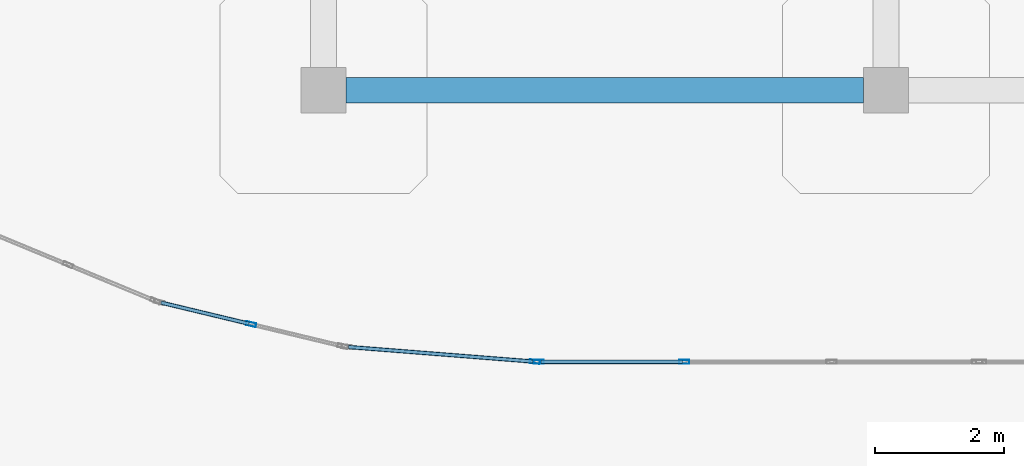
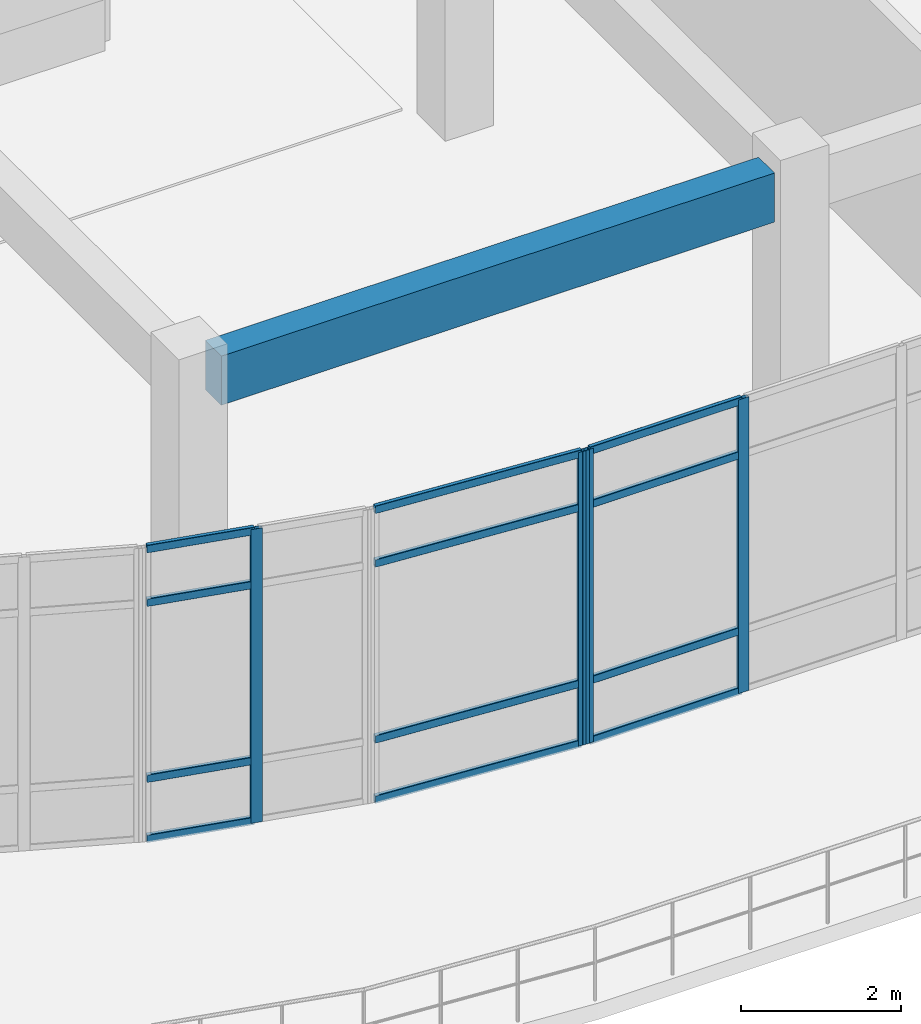
# One storey, part 3 of 76: 16 members, 1 beam, 3 elements without a shape of their own.
"""IFC4 building model written with IfcOpenShell, lengths in metres."""

from ifc_helpers import new_model, si_unit, derived_unit, direction, frame, origin, origin_2d, place, context, subcontext, project, spatial, rectangle, hollow_rectangle, extrude, material, layer, layer_set, material_profile, profile_set, type_object, element, aggregate, save


model = new_model("IFC4")

# Units and contexts
model_context = context("Model", 3, precision=1e-05, world=origin(), true_north=direction((0.0, 1.0)))
body_context = subcontext(model_context, "Body", "Model", "MODEL_VIEW")
ifc_project = project(units=[si_unit("LENGTHUNIT", "METRE"), si_unit("AREAUNIT", "SQUARE_METRE"), si_unit("VOLUMEUNIT", "CUBIC_METRE"), si_unit("PLANEANGLEUNIT", "RADIAN"), si_unit("MASSUNIT", "GRAM", prefix="KILO"), derived_unit("THERMALTRANSMITTANCEUNIT", [(si_unit("MASSUNIT", "GRAM", prefix="KILO"), 1), (si_unit("TIMEUNIT", "SECOND"), -3), (si_unit("THERMODYNAMICTEMPERATUREUNIT", "KELVIN"), -1)])], contexts=[model_context])

# Site, building, storey
site_placement = place(None, origin())
site = spatial("IfcSite", under=ifc_project, at=site_placement, CompositionType="ELEMENT")
building_placement = place(site_placement, origin())
building = spatial("IfcBuilding", under=site, at=building_placement, Name="Qinzheling Arcade Emporium", CompositionType="ELEMENT")
storey_placement = place(building_placement, frame((0.0, 0.0, 26.699951171875)))
storey = spatial("IfcBuildingStorey", under=building, at=storey_placement, Name="L06", CompositionType="ELEMENT", Elevation=26.699951171875)

# Curtain wall, members
ifc_material_1 = material(Name="Anodised aluminium and solar-control double glazing", Category="aluminium")
ifc_layer_1 = layer(ifc_material_1, 0.159912109375, Name="Anodised aluminium and solar-control double glazing", Category="aluminium")
ifc_layer_set_1 = layer_set([ifc_layer_1], Name="Anodised aluminium and solar-control double glazing")
curtain_wall_type_1 = type_object("IfcCurtainWallType", Name="Arcade Portal Glazed Curtain Wall", PredefinedType="NOTDEFINED", material=ifc_layer_set_1)
curtain_wall_1_placement = place(storey_placement, origin())
curtain_wall_1 = element("IfcCurtainWall", 1, at=curtain_wall_1_placement, inside=storey, type_object=curtain_wall_type_1, Name="Curtain Wall CW-L06-349", PredefinedType="NOTDEFINED")
ifc_material_2 = material(Name="Anodised aluminium 6063-T6", Category="aluminium")
ifc_material_profile_1 = material_profile(ifc_material_2, hollow_rectangle(XDim=0.06005859375, YDim=0.159912109375, WallThickness=0.00390625, InnerFilletRadius=0.00390625, OuterFilletRadius=0.008056640625, at=origin_2d()), Name="RHS 160x60x4", Category="aluminium")
ifc_profile_set_1 = profile_set([ifc_material_profile_1], Name="Anodised aluminium 6063-T6")
member_type_1 = type_object("IfcMemberType", Name="Curtain Wall Mullion RHS160x60", PredefinedType="MULLION", material=ifc_profile_set_1)
member_1_placement = place(storey_placement, frame((31.679443359375, 12.60009765625, 0.0), z_axis=(0.0, 0.0, 1.0), x_axis=(0.0, -1.0, 0.0)))
member_1 = element("IfcMember", 2, at=member_1_placement, type_object=member_type_1, Name="CW05 mullion 3", PredefinedType="MULLION", context=body_context, shape_type="SweptSolid", body=[
    extrude(hollow_rectangle(XDim=0.06005859375, YDim=0.159912109375, WallThickness=0.00390625, InnerFilletRadius=0.00390625, OuterFilletRadius=0.008056640625, at=origin_2d()), origin(), (0.0, 0.0, 1.0), 4.489990234375),
])
member_2_placement = place(storey_placement, frame((29.429931640625, 12.60009765625, 0.0), z_axis=(0.0, 0.0, 1.0), x_axis=(0.0, -1.0, 0.0)))
member_2 = element("IfcMember", 3, at=member_2_placement, type_object=member_type_1, Name="CW05 mullion 4", PredefinedType="MULLION", context=body_context, shape_type="SweptSolid", body=[
    extrude(hollow_rectangle(XDim=0.06005859375, YDim=0.159912109375, WallThickness=0.00390625, InnerFilletRadius=0.00390625, OuterFilletRadius=0.008056640625, at=origin_2d()), origin(), (0.0, 0.0, 1.0), 4.489990234375),
])

# Curtain wall, member
curtain_wall_2_placement = place(storey_placement, origin())
curtain_wall_2 = element("IfcCurtainWall", 4, at=curtain_wall_2_placement, inside=storey, type_object=curtain_wall_type_1, Name="Curtain Wall CW-L06-350", PredefinedType="NOTDEFINED")
member_3_placement = place(storey_placement, frame((29.3701171875, 12.602294921875, 0.0), z_axis=(0.0, 0.0, 1.0), x_axis=(-0.078491941816, -0.996914748145, 0.0)))
member_3 = element("IfcMember", 5, at=member_3_placement, type_object=member_type_1, Name="CW05 mullion 1", PredefinedType="MULLION", context=body_context, shape_type="SweptSolid", body=[
    extrude(hollow_rectangle(XDim=0.06005859375, YDim=0.159912109375, WallThickness=0.00390625, InnerFilletRadius=0.00390625, OuterFilletRadius=0.008056640625, at=origin_2d()), origin(), (0.0, 0.0, 1.0), 4.489990234375),
])

ifc_layer_2 = layer(ifc_material_1, 0.159912109375, Name="Anodised aluminium and solar-control double glazing", Category="aluminium")
ifc_layer_set_2 = layer_set([ifc_layer_2], Name="Anodised aluminium and solar-control double glazing")
curtain_wall_type_2 = type_object("IfcCurtainWallType", Name="Curved Ribbon Sales Curtain Wall", PredefinedType="NOTDEFINED", material=ifc_layer_set_2)
curtain_wall_3_placement = place(storey_placement, origin())
curtain_wall_3 = element("IfcCurtainWall", 6, at=curtain_wall_3_placement, inside=storey, type_object=curtain_wall_type_2, Name="Curtain Wall CW-L06-351", PredefinedType="NOTDEFINED")
member_4_placement = place(storey_placement, frame((24.978515625, 13.181884765625, 0.0), z_axis=(0.0, 0.0, 1.0), x_axis=(-0.233449067193, -0.972369031298, 0.0)))
member_4 = element("IfcMember", 7, at=member_4_placement, type_object=member_type_1, Name="CW02 mullion 2", PredefinedType="MULLION", context=body_context, shape_type="SweptSolid", body=[
    extrude(hollow_rectangle(XDim=0.06005859375, YDim=0.159912109375, WallThickness=0.00390625, InnerFilletRadius=0.00390625, OuterFilletRadius=0.008056640625, at=origin_2d()), origin(), (0.0, 0.0, 1.0), 4.489990234375),
])

# Member
ifc_material_profile_2 = material_profile(ifc_material_2, hollow_rectangle(XDim=0.06005859375, YDim=0.1201171875, WallThickness=0.00390625, InnerFilletRadius=0.00390625, OuterFilletRadius=0.008056640625, at=origin_2d()), Name="RHS 120x60x4", Category="aluminium")
ifc_profile_set_2 = profile_set([ifc_material_profile_2], Name="Anodised aluminium 6063-T6")
member_type_2 = type_object("IfcMemberType", Name="Curtain Wall Transom RHS120x60", PredefinedType="USERDEFINED", material=ifc_profile_set_2)
member_5_placement = place(storey_placement, frame((31.6494140625, 12.60009765625, 0.030029296875), z_axis=(-1.0, 0.0, 0.0), x_axis=(0.0, -1.0, 0.0)))
member_5 = element("IfcMember", 8, at=member_5_placement, type_object=member_type_2, Name="CW05 transom 3.1", ObjectType="TRANSOM", PredefinedType="USERDEFINED", context=body_context, shape_type="SweptSolid", body=[
    extrude(hollow_rectangle(XDim=0.06005859375, YDim=0.1201171875, WallThickness=0.00390625, InnerFilletRadius=0.00390625, OuterFilletRadius=0.008056640625, at=origin_2d()), origin(), (0.0, 0.0, 1.0), 2.189453125),
])

member_6_placement = place(storey_placement, frame((31.6494140625, 12.60009765625, 0.949951171875), z_axis=(-1.0, 0.0, 0.0), x_axis=(0.0, -1.0, 0.0)))
member_6 = element("IfcMember", 9, at=member_6_placement, type_object=member_type_2, Name="CW05 transom 3.2", ObjectType="TRANSOM", PredefinedType="USERDEFINED", context=body_context, shape_type="SweptSolid", body=[
    extrude(hollow_rectangle(XDim=0.06005859375, YDim=0.1201171875, WallThickness=0.00390625, InnerFilletRadius=0.00390625, OuterFilletRadius=0.008056640625, at=origin_2d()), origin(), (0.0, 0.0, 1.0), 2.189453125),
])

member_7_placement = place(storey_placement, frame((31.6494140625, 12.60009765625, 3.64013671875), z_axis=(-1.0, 0.0, 0.0), x_axis=(0.0, -1.0, 0.0)))
member_7 = element("IfcMember", 10, at=member_7_placement, type_object=member_type_2, Name="CW05 transom 3.3", ObjectType="TRANSOM", PredefinedType="USERDEFINED", context=body_context, shape_type="SweptSolid", body=[
    extrude(hollow_rectangle(XDim=0.06005859375, YDim=0.1201171875, WallThickness=0.00390625, InnerFilletRadius=0.00390625, OuterFilletRadius=0.008056640625, at=origin_2d()), origin(), (0.0, 0.0, 1.0), 2.189453125),
])

member_8_placement = place(storey_placement, frame((31.6494140625, 12.60009765625, 4.4599609375), z_axis=(-1.0, 0.0, 0.0), x_axis=(0.0, -1.0, 0.0)))
member_8 = element("IfcMember", 11, at=member_8_placement, type_object=member_type_2, Name="CW05 transom 3.4", ObjectType="TRANSOM", PredefinedType="USERDEFINED", context=body_context, shape_type="SweptSolid", body=[
    extrude(hollow_rectangle(XDim=0.06005859375, YDim=0.1201171875, WallThickness=0.00390625, InnerFilletRadius=0.00390625, OuterFilletRadius=0.008056640625, at=origin_2d()), origin(), (0.0, 0.0, 1.0), 2.189453125),
])

aggregate(curtain_wall_1, [member_1, member_2, member_5, member_6, member_7, member_8])

member_9_placement = place(storey_placement, frame((29.340087890625, 12.604736328125, 0.030029296875), z_axis=(-0.99691380897, 0.078503869233, 0.0), x_axis=(-0.078503869233, -0.99691380897, 0.0)))
member_9 = element("IfcMember", 12, at=member_9_placement, type_object=member_type_2, Name="CW05 transom 1.1", ObjectType="TRANSOM", PredefinedType="USERDEFINED", context=body_context, shape_type="SweptSolid", body=[
    extrude(hollow_rectangle(XDim=0.06005859375, YDim=0.1201171875, WallThickness=0.00390625, InnerFilletRadius=0.00390625, OuterFilletRadius=0.008056640625, at=origin_2d()), origin(), (0.0, 0.0, 1.0), 2.861083984375),
])

member_10_placement = place(storey_placement, frame((29.340087890625, 12.604736328125, 0.949951171875), z_axis=(-0.99691380897, 0.078503869233, 0.0), x_axis=(-0.078503869233, -0.99691380897, 0.0)))
member_10 = element("IfcMember", 13, at=member_10_placement, type_object=member_type_2, Name="CW05 transom 1.2", ObjectType="TRANSOM", PredefinedType="USERDEFINED", context=body_context, shape_type="SweptSolid", body=[
    extrude(hollow_rectangle(XDim=0.06005859375, YDim=0.1201171875, WallThickness=0.00390625, InnerFilletRadius=0.00390625, OuterFilletRadius=0.008056640625, at=origin_2d()), origin(), (0.0, 0.0, 1.0), 2.861083984375),
])

member_11_placement = place(storey_placement, frame((29.340087890625, 12.604736328125, 3.64013671875), z_axis=(-0.99691380897, 0.078503869233, 0.0), x_axis=(-0.078503869233, -0.99691380897, 0.0)))
member_11 = element("IfcMember", 14, at=member_11_placement, type_object=member_type_2, Name="CW05 transom 1.3", ObjectType="TRANSOM", PredefinedType="USERDEFINED", context=body_context, shape_type="SweptSolid", body=[
    extrude(hollow_rectangle(XDim=0.06005859375, YDim=0.1201171875, WallThickness=0.00390625, InnerFilletRadius=0.00390625, OuterFilletRadius=0.008056640625, at=origin_2d()), origin(), (0.0, 0.0, 1.0), 2.861083984375),
])

member_12_placement = place(storey_placement, frame((29.340087890625, 12.604736328125, 4.4599609375), z_axis=(-0.99691380897, 0.078503869233, 0.0), x_axis=(-0.078503869233, -0.99691380897, 0.0)))
member_12 = element("IfcMember", 15, at=member_12_placement, type_object=member_type_2, Name="CW05 transom 1.4", ObjectType="TRANSOM", PredefinedType="USERDEFINED", context=body_context, shape_type="SweptSolid", body=[
    extrude(hollow_rectangle(XDim=0.06005859375, YDim=0.1201171875, WallThickness=0.00390625, InnerFilletRadius=0.00390625, OuterFilletRadius=0.008056640625, at=origin_2d()), origin(), (0.0, 0.0, 1.0), 2.861083984375),
])

aggregate(curtain_wall_2, [member_3, member_9, member_10, member_11, member_12])

member_13_placement = place(storey_placement, frame((24.94921875, 13.18896484375, 0.030029296875), z_axis=(-0.972336645598, 0.233583919882, 0.0), x_axis=(-0.233583919882, -0.972336645598, 0.0)))
member_13 = element("IfcMember", 16, at=member_13_placement, type_object=member_type_2, Name="CW02 transom 2.1", ObjectType="TRANSOM", PredefinedType="USERDEFINED", context=body_context, shape_type="SweptSolid", body=[
    extrude(hollow_rectangle(XDim=0.06005859375, YDim=0.1201171875, WallThickness=0.00390625, InnerFilletRadius=0.00390625, OuterFilletRadius=0.008056640625, at=origin_2d()), origin(), (0.0, 0.0, 1.0), 1.400634765625),
])

member_14_placement = place(storey_placement, frame((24.94921875, 13.18896484375, 0.949951171875), z_axis=(-0.972336645598, 0.233583919882, 0.0), x_axis=(-0.233583919882, -0.972336645598, 0.0)))
member_14 = element("IfcMember", 17, at=member_14_placement, type_object=member_type_2, Name="CW02 transom 2.2", ObjectType="TRANSOM", PredefinedType="USERDEFINED", context=body_context, shape_type="SweptSolid", body=[
    extrude(hollow_rectangle(XDim=0.06005859375, YDim=0.1201171875, WallThickness=0.00390625, InnerFilletRadius=0.00390625, OuterFilletRadius=0.008056640625, at=origin_2d()), origin(), (0.0, 0.0, 1.0), 1.400634765625),
])

member_15_placement = place(storey_placement, frame((24.94921875, 13.18896484375, 3.64013671875), z_axis=(-0.972336645598, 0.233583919882, 0.0), x_axis=(-0.233583919882, -0.972336645598, 0.0)))
member_15 = element("IfcMember", 18, at=member_15_placement, type_object=member_type_2, Name="CW02 transom 2.3", ObjectType="TRANSOM", PredefinedType="USERDEFINED", context=body_context, shape_type="SweptSolid", body=[
    extrude(hollow_rectangle(XDim=0.06005859375, YDim=0.1201171875, WallThickness=0.00390625, InnerFilletRadius=0.00390625, OuterFilletRadius=0.008056640625, at=origin_2d()), origin(), (0.0, 0.0, 1.0), 1.400634765625),
])

member_16_placement = place(storey_placement, frame((24.94921875, 13.18896484375, 4.4599609375), z_axis=(-0.972336645598, 0.233583919882, 0.0), x_axis=(-0.233583919882, -0.972336645598, 0.0)))
member_16 = element("IfcMember", 19, at=member_16_placement, type_object=member_type_2, Name="CW02 transom 2.4", ObjectType="TRANSOM", PredefinedType="USERDEFINED", context=body_context, shape_type="SweptSolid", body=[
    extrude(hollow_rectangle(XDim=0.06005859375, YDim=0.1201171875, WallThickness=0.00390625, InnerFilletRadius=0.00390625, OuterFilletRadius=0.008056640625, at=origin_2d()), origin(), (0.0, 0.0, 1.0), 1.400634765625),
])

aggregate(curtain_wall_3, [member_4, member_13, member_14, member_15, member_16])

# Beam
ifc_material_3 = material(Name="Concrete C40", Category="concrete")
ifc_material_profile_3 = material_profile(ifc_material_3, rectangle(XDim=0.39990234375, YDim=0.75, at=origin_2d()), Name="RC 400x750", Category="concrete")
ifc_profile_set_3 = profile_set([ifc_material_profile_3], Name="Concrete C40")
beam_type = type_object("IfcBeamType", Name="RC Interior Tie Beam 400x750 C40", PredefinedType="BEAM", material=ifc_profile_set_3)
beam_placement = place(storey_placement, frame((26.449951171875, 16.800048828125, 4.14501953125), z_axis=(1.0, 0.0, 0.0), x_axis=(0.0, 1.0, 0.0)))
element("IfcBeam", 20, at=beam_placement, inside=storey, type_object=beam_type, Name="Beam BM-L06-X-C-4", PredefinedType="BEAM", context=body_context, shape_type="SweptSolid", body=[
    extrude(rectangle(XDim=0.39990234375, YDim=0.75, at=origin_2d()), origin(), (0.0, 0.0, 1.0), 8.0),
])

save(model, "model.ifc")
